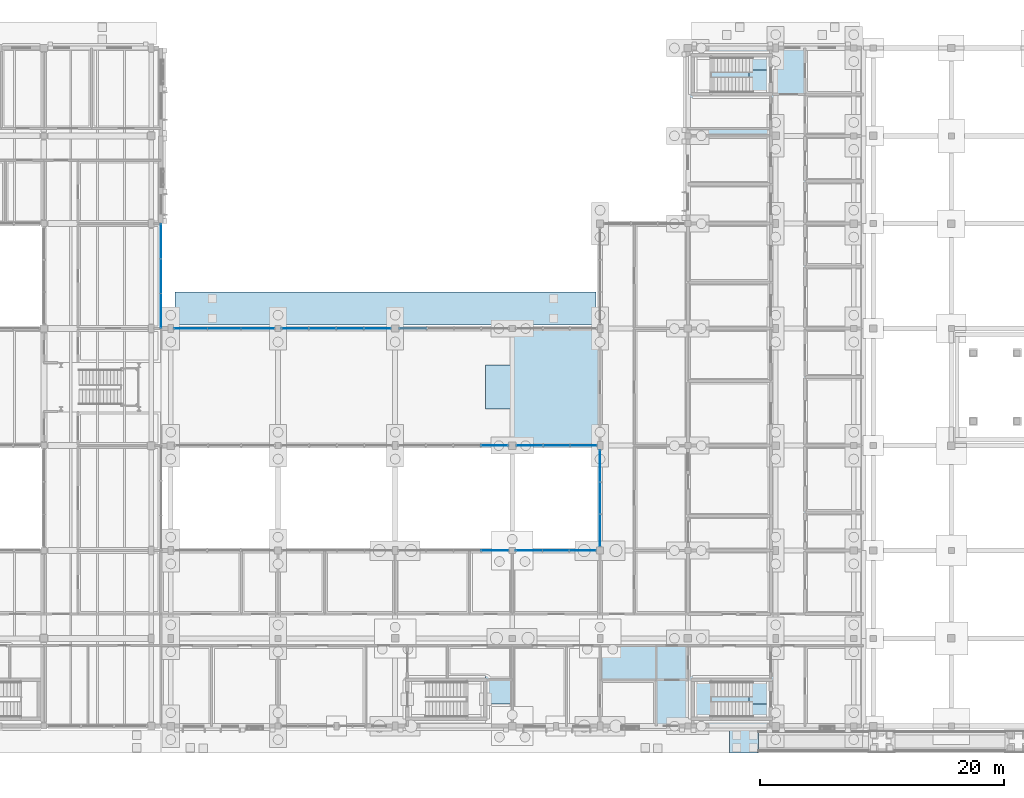
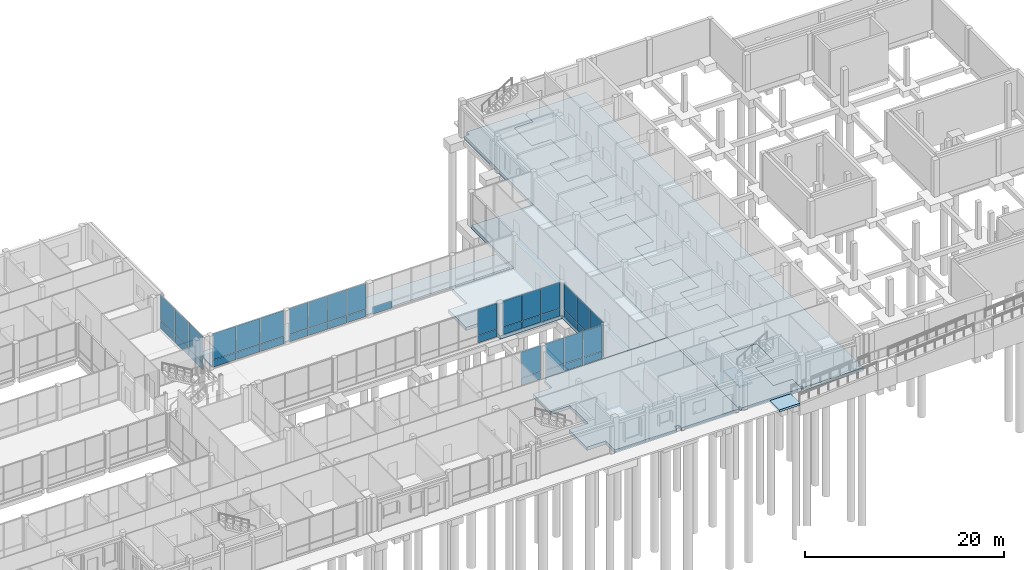
# One storey, part 67 of 104: 43 plates, 7 slabs, 10 elements without a shape of their own.
"""IFC4 building model written with IfcOpenShell, lengths in metres."""

from ifc_helpers import new_model, si_unit, direction, frame, origin, origin_2d, place, context, subcontext, project, spatial, polyline, rectangle, outline, extrude, material, layer, layer_set, type_object, element, aggregate, save


model = new_model("IFC4")

# Units and contexts
model_context = context("Model", 3, precision=1e-05, world=origin(), true_north=direction((0.0, 1.0)))
body_context = subcontext(model_context, "Body", "Model", "MODEL_VIEW")
ifc_project = project(units=[si_unit("LENGTHUNIT", "METRE"), si_unit("AREAUNIT", "SQUARE_METRE"), si_unit("VOLUMEUNIT", "CUBIC_METRE"), si_unit("PLANEANGLEUNIT", "RADIAN"), si_unit("MASSUNIT", "GRAM", prefix="KILO")], contexts=[model_context])

# Site, building, storey
site_placement = place(None, origin())
site = spatial("IfcSite", under=ifc_project, at=site_placement, CompositionType="ELEMENT")
building_placement = place(site_placement, origin())
building = spatial("IfcBuilding", under=site, at=building_placement, Name="Hawrajan Terrace Health Centre", CompositionType="ELEMENT")
storey_placement = place(building_placement, origin())
storey = spatial("IfcBuildingStorey", under=building, at=storey_placement, Name="L00", CompositionType="ELEMENT", Elevation=0.0)

# Slabs
ifc_material_1 = material(Name="Concrete C40/50", Category="concrete")
ifc_layer_1 = layer(ifc_material_1, 0.39990234375)
ifc_layer_set_1 = layer_set([ifc_layer_1], Name="Concrete C40/50")
slab_type_1 = type_object("IfcSlabType", Name="BaseSlab_RC400", PredefinedType="BASESLAB", material=ifc_layer_set_1)
slab_1_placement = place(storey_placement, frame((0.0, 0.0, -0.39990234375)))
element("IfcSlab", 1, at=slab_1_placement, inside=storey, type_object=slab_type_1, Name="Structural slab SL-L00-C-V1-Z4-1", PredefinedType="BASESLAB", context=body_context, shape_type="SweptSolid", body=[
    extrude(outline(polyline([(107.800048828125, 36.800048828125), (107.800048828125, 45.39990234375), (115.0, 45.39990234375), (115.0, 36.800048828125), (115.0, 27.199951171875), (115.0, 18.60009765625), (107.800048828125, 18.60009765625), (107.800048828125, 27.199951171875), (100.60205078125, 27.199951171875), (100.60205078125, 30.201904296875), (98.402099609375, 30.201904296875), (98.402099609375, 33.798095703125), (100.60205078125, 33.798095703125), (100.60205078125, 36.800048828125), (107.800048828125, 36.800048828125)])), origin(), (0.0, 0.0, 1.0), 0.39990234375),
])
slab_2_placement = place(storey_placement, frame((0.0, 0.0, -0.39990234375)))
element("IfcSlab", 2, at=slab_2_placement, inside=storey, type_object=slab_type_1, Name="Structural slab SL-L00-C-V3-Z4-1", PredefinedType="BASESLAB", context=body_context, shape_type="SweptSolid", body=[
    extrude(outline(polyline([(100.8798828125, 18.320068359375), (100.8798828125, 18.60009765625), (107.798095703125, 18.60009765625), (107.798095703125, 18.597900390625), (115.0, 18.597900390625), (115.0, 11.39990234375), (115.0, 4.47998046875), (115.0, 4.199951171875), (108.35009765625, 4.199951171875), (108.35009765625, 4.75), (107.800048828125, 4.75), (107.800048828125, 4.199951171875), (100.60205078125, 4.199951171875), (100.60205078125, 6.001953125), (98.402099609375, 6.001953125), (98.402099609375, 9.597900390625), (100.60205078125, 9.597900390625), (100.60205078125, 13.201904296875), (98.402099609375, 13.201904296875), (98.402099609375, 16.798095703125), (100.60205078125, 16.798095703125), (100.60205078125, 18.320068359375), (100.8798828125, 18.320068359375)])), origin(), (0.0, 0.0, 1.0), 0.39990234375),
])
slab_3_placement = place(storey_placement, frame((0.0, 0.0, -0.39990234375)))
element("IfcSlab", 3, at=slab_3_placement, inside=storey, type_object=slab_type_1, Name="Structural slab SL-L00-C-V5-Z4-1", PredefinedType="BASESLAB", context=body_context, shape_type="SweptSolid", body=[
    extrude(outline(polyline([(115.0, 52.60009765625), (115.0, 59.25), (115.550048828125, 59.25), (115.550048828125, 59.800048828125), (122.199951171875, 59.800048828125), (122.199951171875, 59.52001953125), (122.199951171875, 58.0), (120.0, 58.0), (120.0, 54.39990234375), (122.199951171875, 54.39990234375), (122.199951171875, 52.60009765625), (122.199951171875, 50.800048828125), (120.0, 50.800048828125), (120.0, 47.199951171875), (122.199951171875, 47.199951171875), (122.199951171875, 45.39990234375), (122.199951171875, 42.89990234375), (120.0, 42.89990234375), (120.0, 39.300048828125), (122.199951171875, 39.300048828125), (122.199951171875, 36.800048828125), (122.199951171875, 33.800048828125), (120.0, 33.800048828125), (120.0, 30.199951171875), (122.199951171875, 30.199951171875), (122.199951171875, 27.199951171875), (122.199951171875, 24.699951171875), (120.0, 24.699951171875), (120.0, 21.10009765625), (122.199951171875, 21.10009765625), (122.199951171875, 18.60009765625), (122.199951171875, 16.800048828125), (120.0, 16.800048828125), (120.0, 13.199951171875), (122.199951171875, 13.199951171875), (122.199951171875, 11.39990234375), (122.199951171875, 9.60009765625), (120.0, 9.60009765625), (120.0, 6.0), (122.199951171875, 6.0), (122.199951171875, 4.47998046875), (122.199951171875, 4.199951171875), (115.280029296875, 4.199951171875), (115.280029296875, 4.47998046875), (115.001953125, 4.47998046875), (115.001953125, 18.597900390625), (115.001953125, 18.60009765625), (115.001953125, 45.402099609375), (115.0, 45.402099609375), (115.0, 52.60009765625)])), origin(), (0.0, 0.0, 1.0), 0.39990234375),
])
slab_4_placement = place(storey_placement, frame((0.0, 0.0, -0.39990234375)))
element("IfcSlab", 4, at=slab_4_placement, inside=storey, type_object=slab_type_1, Name="Structural slab SL-L00-C-V5-Z5-1", PredefinedType="BASESLAB", context=body_context, shape_type="SweptSolid", body=[
    extrude(outline(polyline([(122.47998046875, 59.52001953125), (122.47998046875, 59.800048828125), (129.39501953125, 59.800048828125), (129.39501953125, 52.60009765625), (129.39501953125, 45.39990234375), (129.39501953125, 36.800048828125), (129.39501953125, 27.199951171875), (129.39501953125, 18.60009765625), (129.39501953125, 11.39990234375), (129.39501953125, 4.199951171875), (122.47998046875, 4.199951171875), (122.47998046875, 4.47998046875), (122.201904296875, 4.47998046875), (122.201904296875, 6.001953125), (120.001953125, 6.001953125), (120.001953125, 9.597900390625), (122.201904296875, 9.597900390625), (122.201904296875, 13.201904296875), (120.001953125, 13.201904296875), (120.001953125, 16.798095703125), (122.201904296875, 16.798095703125), (122.201904296875, 21.10205078125), (120.001953125, 21.10205078125), (120.001953125, 24.697998046875), (122.201904296875, 24.697998046875), (122.201904296875, 30.201904296875), (120.001953125, 30.201904296875), (120.001953125, 33.798095703125), (122.201904296875, 33.798095703125), (122.201904296875, 39.302001953125), (120.001953125, 39.302001953125), (120.001953125, 42.89794921875), (122.201904296875, 42.89794921875), (122.201904296875, 47.201904296875), (120.001953125, 47.201904296875), (120.001953125, 50.798095703125), (122.201904296875, 50.798095703125), (122.201904296875, 54.402099609375), (120.001953125, 54.402099609375), (120.001953125, 57.998046875), (122.201904296875, 57.998046875), (122.201904296875, 59.52001953125), (122.47998046875, 59.52001953125)])), origin(), (0.0, 0.0, 1.0), 0.39990234375),
])

# Curtain wall, plates
ifc_material_2 = material(Name="Anodized bronze aluminium and low-E solar glazing", Category="aluminium")
curtain_wall_type_1 = type_object("IfcCurtainWallType", Name="CW_Clerestory_SeriesG2", PredefinedType="USERDEFINED", material=ifc_material_2)
curtain_wall_1_placement = place(storey_placement, origin())
curtain_wall_1 = element("IfcCurtainWall", 5, at=curtain_wall_1_placement, inside=storey, type_object=curtain_wall_type_1, Name="Curtain wall CW-L00-041", ObjectType="UNITISED CURTAIN WALL", PredefinedType="USERDEFINED")
ifc_material_3 = material(Name="Diffused north-light insulated glazing", Category="glass")
ifc_layer_2 = layer(ifc_material_3, 0.031982421875)
ifc_layer_set_2 = layer_set([ifc_layer_2], Name="Diffused north-light insulated glazing")
plate_type_1 = type_object("IfcPlateType", Name="ClerestoryGlassPanel_32", PredefinedType="CURTAIN_PANEL", material=ifc_layer_set_2)
plate_1_placement = place(storey_placement, frame((82.809326171875, 36.800048828125, 0.981689453125), z_axis=(0.0, 0.0, 1.0), x_axis=(1.0, 0.0, 0.0)))
plate_1 = element("IfcPlate", 6, at=plate_1_placement, type_object=plate_type_1, Name="Curtain panel CW-L00-041-P1-2", PredefinedType="CURTAIN_PANEL", context=body_context, shape_type="SweptSolid", body=[
    extrude(rectangle(XDim=2.1806640625, YDim=0.031982421875, at=origin_2d()), origin(), (0.0, 0.0, 1.0), 3.1494140625),
])
plate_2_placement = place(storey_placement, frame((85.052978515625, 36.800048828125, 0.981689453125), z_axis=(0.0, 0.0, 1.0), x_axis=(1.0, 0.0, 0.0)))
plate_2 = element("IfcPlate", 7, at=plate_2_placement, type_object=plate_type_1, Name="Curtain panel CW-L00-041-P2-2", PredefinedType="CURTAIN_PANEL", context=body_context, shape_type="SweptSolid", body=[
    extrude(rectangle(XDim=2.1806640625, YDim=0.031982421875, at=origin_2d()), origin(), (0.0, 0.0, 1.0), 3.1494140625),
])
plate_3_placement = place(storey_placement, frame((87.296875, 36.800048828125, 0.981689453125), z_axis=(0.0, 0.0, 1.0), x_axis=(1.0, 0.0, 0.0)))
plate_3 = element("IfcPlate", 8, at=plate_3_placement, type_object=plate_type_1, Name="Curtain panel CW-L00-041-P3-2", PredefinedType="CURTAIN_PANEL", context=body_context, shape_type="SweptSolid", body=[
    extrude(rectangle(XDim=2.180908203125, YDim=0.031982421875, at=origin_2d()), origin(), (0.0, 0.0, 1.0), 3.1494140625),
])
plate_4_placement = place(storey_placement, frame((89.54052734375, 36.800048828125, 0.981689453125), z_axis=(0.0, 0.0, 1.0), x_axis=(1.0, 0.0, 0.0)))
plate_4 = element("IfcPlate", 9, at=plate_4_placement, type_object=plate_type_1, Name="Curtain panel CW-L00-041-P4-2", PredefinedType="CURTAIN_PANEL", context=body_context, shape_type="SweptSolid", body=[
    extrude(rectangle(XDim=2.180908203125, YDim=0.031982421875, at=origin_2d()), origin(), (0.0, 0.0, 1.0), 3.1494140625),
])

# Slabs
ifc_layer_3 = layer(ifc_material_1, 0.25)
ifc_layer_set_3 = layer_set([ifc_layer_3], Name="Concrete C40/50")
slab_type_2 = type_object("IfcSlabType", Name="RampLanding_RC250", PredefinedType="LANDING", material=ifc_layer_set_3)
slab_5_placement = place(storey_placement, frame((0.0, 0.0, -0.25)))
element("IfcSlab", 10, at=slab_5_placement, inside=storey, type_object=slab_type_2, Name="Accessible ramp base landing AR-00", PredefinedType="LANDING", context=body_context, shape_type="SweptSolid", body=[
    extrude(outline(polyline([(118.39990234375, 2.0), (120.800048828125, 2.0), (120.800048828125, 3.889892578125), (118.39990234375, 3.889892578125), (118.39990234375, 2.0)])), origin(), (0.0, 0.0, 1.0), 0.25),
])
ifc_layer_4 = layer(ifc_material_1, 0.199951171875)
ifc_layer_set_4 = layer_set([ifc_layer_4], Name="Concrete C40/50")
slab_type_3 = type_object("IfcSlabType", Name="SiteApronPaving_RC200", PredefinedType="BASESLAB", material=ifc_layer_set_4)
slab_6_placement = place(storey_placement, frame((0.0, 0.0, -0.199951171875)))
element("IfcSlab", 11, at=slab_6_placement, inside=storey, type_object=slab_type_3, Name="North courtyard garden apron APRON-L00-NCOURT", PredefinedType="BASESLAB", context=body_context, shape_type="SweptSolid", body=[
    extrude(outline(polyline([(72.949951171875, 37.110107421875), (107.449951171875, 37.110107421875), (107.449951171875, 39.800048828125), (72.949951171875, 39.800048828125), (72.949951171875, 37.110107421875)])), origin(), (0.0, 0.0, 1.0), 0.199951171875),
])

# Curtain wall, plates
curtain_wall_type_2 = type_object("IfcCurtainWallType", Name="CW_Pavilion_SeriesE1", PredefinedType="USERDEFINED", material=ifc_material_2)
curtain_wall_2_placement = place(storey_placement, origin())
curtain_wall_2 = element("IfcCurtainWall", 12, at=curtain_wall_2_placement, inside=storey, type_object=curtain_wall_type_2, Name="Curtain wall CW-L00-036", ObjectType="UNITISED CURTAIN WALL", PredefinedType="USERDEFINED")
ifc_material_4 = material(Name="Insulated anodized bronze spandrel panel")
ifc_layer_5 = layer(ifc_material_4, 0.048095703125)
ifc_layer_set_5 = layer_set([ifc_layer_5], Name="Insulated anodized bronze spandrel panel")
plate_type_2 = type_object("IfcPlateType", Name="SpandrelPanel_Bronze48", PredefinedType="CURTAIN_PANEL", material=ifc_layer_set_5)
plate_5_placement = place(storey_placement, frame((74.234130859375, 36.800048828125, 0.05908203125), z_axis=(0.0, 0.0, 1.0), x_axis=(1.0, 0.0, 0.0)))
plate_5 = element("IfcPlate", 13, at=plate_5_placement, type_object=plate_type_2, Name="Curtain panel CW-L00-036-P1-1", PredefinedType="CURTAIN_PANEL", context=body_context, shape_type="SweptSolid", body=[
    extrude(rectangle(XDim=2.7001953125, YDim=0.048095703125, at=origin_2d()), origin(), (0.0, 0.0, 1.0), 0.864501953125),
])
plate_6_placement = place(storey_placement, frame((76.987548828125, 36.800048828125, 0.05908203125), z_axis=(0.0, 0.0, 1.0), x_axis=(1.0, 0.0, 0.0)))
plate_6 = element("IfcPlate", 14, at=plate_6_placement, type_object=plate_type_2, Name="Curtain panel CW-L00-036-P2-1", PredefinedType="CURTAIN_PANEL", context=body_context, shape_type="SweptSolid", body=[
    extrude(rectangle(XDim=2.7001953125, YDim=0.048095703125, at=origin_2d()), origin(), (0.0, 0.0, 1.0), 0.864501953125),
])
plate_7_placement = place(storey_placement, frame((79.74072265625, 36.800048828125, 0.05908203125), z_axis=(0.0, 0.0, 1.0), x_axis=(1.0, 0.0, 0.0)))
plate_7 = element("IfcPlate", 15, at=plate_7_placement, type_object=plate_type_2, Name="Curtain panel CW-L00-036-P3-1", PredefinedType="CURTAIN_PANEL", context=body_context, shape_type="SweptSolid", body=[
    extrude(rectangle(XDim=2.7001953125, YDim=0.048095703125, at=origin_2d()), origin(), (0.0, 0.0, 1.0), 0.864501953125),
])

# Curtain wall, plate
curtain_wall_type_3 = type_object("IfcCurtainWallType", Name="CW_Clerestory_SeriesG3", PredefinedType="USERDEFINED", material=ifc_material_2)
curtain_wall_3_placement = place(storey_placement, origin())
curtain_wall_3 = element("IfcCurtainWall", 16, at=curtain_wall_3_placement, inside=storey, type_object=curtain_wall_type_3, Name="Curtain wall CW-L00-042", ObjectType="UNITISED CURTAIN WALL", PredefinedType="USERDEFINED")
plate_8_placement = place(storey_placement, frame((99.18505859375, 18.60009765625, 0.05908203125), z_axis=(0.0, 0.0, 1.0), x_axis=(1.0, 0.0, 0.0)))
plate_8 = element("IfcPlate", 17, at=plate_8_placement, type_object=plate_type_2, Name="Curtain panel CW-L00-042-P4-1", PredefinedType="CURTAIN_PANEL", context=body_context, shape_type="SweptSolid", body=[
    extrude(rectangle(XDim=2.2119140625, YDim=0.048095703125, at=origin_2d()), origin(), (0.0, 0.0, 1.0), 0.864501953125),
])

curtain_wall_type_4 = type_object("IfcCurtainWallType", Name="CW_Bridge_SeriesJ1", PredefinedType="USERDEFINED", material=ifc_material_2)
curtain_wall_4_placement = place(storey_placement, origin())
curtain_wall_4 = element("IfcCurtainWall", 18, at=curtain_wall_4_placement, inside=storey, type_object=curtain_wall_type_4, Name="Curtain wall CW-L00-044", ObjectType="UNITISED CURTAIN WALL", PredefinedType="USERDEFINED")
plate_9_placement = place(storey_placement, frame((92.45947265625, 36.800048828125, 0.06884765625), z_axis=(0.0, 0.0, 1.0), x_axis=(1.0, 0.0, 0.0)))
plate_9 = element("IfcPlate", 19, at=plate_9_placement, type_object=plate_type_2, Name="Curtain panel CW-L00-044-P1-1", PredefinedType="CURTAIN_PANEL", context=body_context, shape_type="SweptSolid", body=[
    extrude(rectangle(XDim=2.1806640625, YDim=0.048095703125, at=origin_2d()), origin(), (0.0, 0.0, 1.0), 0.849609375),
])
aggregate(curtain_wall_4, [plate_9])

# Curtain wall, plates
curtain_wall_type_5 = type_object("IfcCurtainWallType", Name="CW_Setback_SeriesL1", PredefinedType="USERDEFINED", material=ifc_material_2)
curtain_wall_5_placement = place(storey_placement, origin())
curtain_wall_5 = element("IfcCurtainWall", 20, at=curtain_wall_5_placement, inside=storey, type_object=curtain_wall_type_5, Name="Curtain wall CW-L00-046", ObjectType="UNITISED CURTAIN WALL", PredefinedType="USERDEFINED")
plate_10_placement = place(storey_placement, frame((102.0341796875, 27.199951171875, 0.05908203125), z_axis=(0.0, 0.0, 1.0), x_axis=(1.0, 0.0, 0.0)))
plate_10 = element("IfcPlate", 21, at=plate_10_placement, type_object=plate_type_2, Name="Curtain panel CW-L00-046-P1-1", PredefinedType="CURTAIN_PANEL", context=body_context, shape_type="SweptSolid", body=[
    extrude(rectangle(XDim=2.150390625, YDim=0.048095703125, at=origin_2d()), origin(), (0.0, 0.0, 1.0), 0.864501953125),
])
plate_11_placement = place(storey_placement, frame((104.237548828125, 27.199951171875, 0.05908203125), z_axis=(0.0, 0.0, 1.0), x_axis=(1.0, 0.0, 0.0)))
plate_11 = element("IfcPlate", 22, at=plate_11_placement, type_object=plate_type_2, Name="Curtain panel CW-L00-046-P2-1", PredefinedType="CURTAIN_PANEL", context=body_context, shape_type="SweptSolid", body=[
    extrude(rectangle(XDim=2.150390625, YDim=0.048095703125, at=origin_2d()), origin(), (0.0, 0.0, 1.0), 0.864501953125),
])
plate_12_placement = place(storey_placement, frame((106.44091796875, 27.199951171875, 0.05908203125), z_axis=(0.0, 0.0, 1.0), x_axis=(1.0, 0.0, 0.0)))
plate_12 = element("IfcPlate", 23, at=plate_12_placement, type_object=plate_type_2, Name="Curtain panel CW-L00-046-P3-1", PredefinedType="CURTAIN_PANEL", context=body_context, shape_type="SweptSolid", body=[
    extrude(rectangle(XDim=2.150390625, YDim=0.048095703125, at=origin_2d()), origin(), (0.0, 0.0, 1.0), 0.864501953125),
])

curtain_wall_type_6 = type_object("IfcCurtainWallType", Name="CW_Diagnostic_SeriesM2", PredefinedType="USERDEFINED", material=ifc_material_2)
curtain_wall_6_placement = place(storey_placement, origin())
curtain_wall_6 = element("IfcCurtainWall", 24, at=curtain_wall_6_placement, inside=storey, type_object=curtain_wall_type_6, Name="Curtain wall CW-L00-048", ObjectType="UNITISED CURTAIN WALL", PredefinedType="USERDEFINED")
plate_13_placement = place(storey_placement, frame((107.800048828125, 20.250732421875, 0.05908203125), z_axis=(0.0, 0.0, 1.0), x_axis=(0.0, 1.0, 0.0)))
plate_13 = element("IfcPlate", 25, at=plate_13_placement, type_object=plate_type_2, Name="Curtain panel CW-L00-048-P1-1", PredefinedType="CURTAIN_PANEL", context=body_context, shape_type="SweptSolid", body=[
    extrude(rectangle(XDim=2.583740234375, YDim=0.048095703125, at=origin_2d()), origin(), (0.0, 0.0, 1.0), 0.864501953125),
])
plate_14_placement = place(storey_placement, frame((107.800048828125, 22.887451171875, 0.05908203125), z_axis=(0.0, 0.0, 1.0), x_axis=(0.0, 1.0, 0.0)))
plate_14 = element("IfcPlate", 26, at=plate_14_placement, type_object=plate_type_2, Name="Curtain panel CW-L00-048-P2-1", PredefinedType="CURTAIN_PANEL", context=body_context, shape_type="SweptSolid", body=[
    extrude(rectangle(XDim=2.583740234375, YDim=0.048095703125, at=origin_2d()), origin(), (0.0, 0.0, 1.0), 0.864501953125),
])
plate_15_placement = place(storey_placement, frame((107.800048828125, 25.524169921875, 0.05908203125), z_axis=(0.0, 0.0, 1.0), x_axis=(0.0, 1.0, 0.0)))
plate_15 = element("IfcPlate", 27, at=plate_15_placement, type_object=plate_type_2, Name="Curtain panel CW-L00-048-P3-1", PredefinedType="CURTAIN_PANEL", context=body_context, shape_type="SweptSolid", body=[
    extrude(rectangle(XDim=2.583740234375, YDim=0.048095703125, at=origin_2d()), origin(), (0.0, 0.0, 1.0), 0.864501953125),
])

curtain_wall_type_7 = type_object("IfcCurtainWallType", Name="CW_CourtNS_SeriesC3", PredefinedType="USERDEFINED", material=ifc_material_2)
curtain_wall_7_placement = place(storey_placement, origin())
curtain_wall_7 = element("IfcCurtainWall", 28, at=curtain_wall_7_placement, inside=storey, type_object=curtain_wall_type_7, Name="Curtain wall CW-L00-033", ObjectType="UNITISED CURTAIN WALL", PredefinedType="USERDEFINED")
ifc_material_5 = material(Name="Insulated reconstituted coral-stone spandrel", Category="masonry")
ifc_layer_6 = layer(ifc_material_5, 0.055908203125)
ifc_layer_set_6 = layer_set([ifc_layer_6], Name="Insulated reconstituted coral-stone spandrel")
plate_type_3 = type_object("IfcPlateType", Name="SpandrelPanel_Coral56", PredefinedType="CURTAIN_PANEL", material=ifc_layer_set_6)
plate_16_placement = place(storey_placement, frame((71.794921875, 38.2548828125, 0.05908203125), z_axis=(0.0, 0.0, 1.0), x_axis=(0.0, 1.0, 0.0)))
plate_16 = element("IfcPlate", 29, at=plate_16_placement, type_object=plate_type_3, Name="Curtain panel CW-L00-033-P1-1", PredefinedType="CURTAIN_PANEL", context=body_context, shape_type="SweptSolid", body=[
    extrude(rectangle(XDim=2.7919921875, YDim=0.055908203125, at=origin_2d()), origin(), (0.0, 0.0, 1.0), 0.864501953125),
])
plate_17_placement = place(storey_placement, frame((71.794921875, 41.10009765625, 0.05908203125), z_axis=(0.0, 0.0, 1.0), x_axis=(0.0, 1.0, 0.0)))
plate_17 = element("IfcPlate", 30, at=plate_17_placement, type_object=plate_type_3, Name="Curtain panel CW-L00-033-P2-1", PredefinedType="CURTAIN_PANEL", context=body_context, shape_type="SweptSolid", body=[
    extrude(rectangle(XDim=2.7919921875, YDim=0.055908203125, at=origin_2d()), origin(), (0.0, 0.0, 1.0), 0.864501953125),
])
plate_18_placement = place(storey_placement, frame((71.794921875, 43.945068359375, 0.05908203125), z_axis=(0.0, 0.0, 1.0), x_axis=(0.0, 1.0, 0.0)))
plate_18 = element("IfcPlate", 31, at=plate_18_placement, type_object=plate_type_3, Name="Curtain panel CW-L00-033-P3-1", PredefinedType="CURTAIN_PANEL", context=body_context, shape_type="SweptSolid", body=[
    extrude(rectangle(XDim=2.7919921875, YDim=0.055908203125, at=origin_2d()), origin(), (0.0, 0.0, 1.0), 0.864501953125),
])

# Plate
plate_19_placement = place(storey_placement, frame((82.809326171875, 36.800048828125, 0.06884765625), z_axis=(0.0, 0.0, 1.0), x_axis=(1.0, 0.0, 0.0)))
plate_19 = element("IfcPlate", 32, at=plate_19_placement, type_object=plate_type_3, Name="Curtain panel CW-L00-041-P1-1", PredefinedType="CURTAIN_PANEL", context=body_context, shape_type="SweptSolid", body=[
    extrude(rectangle(XDim=2.1806640625, YDim=0.055908203125, at=origin_2d()), origin(), (0.0, 0.0, 1.0), 0.849609375),
])

plate_20_placement = place(storey_placement, frame((85.052978515625, 36.800048828125, 0.06884765625), z_axis=(0.0, 0.0, 1.0), x_axis=(1.0, 0.0, 0.0)))
plate_20 = element("IfcPlate", 33, at=plate_20_placement, type_object=plate_type_3, Name="Curtain panel CW-L00-041-P2-1", PredefinedType="CURTAIN_PANEL", context=body_context, shape_type="SweptSolid", body=[
    extrude(rectangle(XDim=2.1806640625, YDim=0.055908203125, at=origin_2d()), origin(), (0.0, 0.0, 1.0), 0.849609375),
])

plate_21_placement = place(storey_placement, frame((87.296875, 36.800048828125, 0.06884765625), z_axis=(0.0, 0.0, 1.0), x_axis=(1.0, 0.0, 0.0)))
plate_21 = element("IfcPlate", 34, at=plate_21_placement, type_object=plate_type_3, Name="Curtain panel CW-L00-041-P3-1", PredefinedType="CURTAIN_PANEL", context=body_context, shape_type="SweptSolid", body=[
    extrude(rectangle(XDim=2.180908203125, YDim=0.055908203125, at=origin_2d()), origin(), (0.0, 0.0, 1.0), 0.849609375),
])

plate_22_placement = place(storey_placement, frame((89.54052734375, 36.800048828125, 0.06884765625), z_axis=(0.0, 0.0, 1.0), x_axis=(1.0, 0.0, 0.0)))
plate_22 = element("IfcPlate", 35, at=plate_22_placement, type_object=plate_type_3, Name="Curtain panel CW-L00-041-P4-1", PredefinedType="CURTAIN_PANEL", context=body_context, shape_type="SweptSolid", body=[
    extrude(rectangle(XDim=2.180908203125, YDim=0.055908203125, at=origin_2d()), origin(), (0.0, 0.0, 1.0), 0.849609375),
])

aggregate(curtain_wall_1, [plate_19, plate_1, plate_20, plate_2, plate_21, plate_3, plate_22, plate_4])

# Curtain wall, plate
curtain_wall_type_8 = type_object("IfcCurtainWallType", Name="CW_Vestibule_SeriesH1", PredefinedType="USERDEFINED", material=ifc_material_2)
curtain_wall_8_placement = place(storey_placement, origin())
curtain_wall_8 = element("IfcCurtainWall", 36, at=curtain_wall_8_placement, inside=storey, type_object=curtain_wall_type_8, Name="Curtain wall CW-L00-043", ObjectType="UNITISED CURTAIN WALL", PredefinedType="USERDEFINED")
plate_23_placement = place(storey_placement, frame((99.14111328125, 27.199951171875, 0.05908203125), z_axis=(0.0, 0.0, 1.0), x_axis=(1.0, 0.0, 0.0)))
plate_23 = element("IfcPlate", 37, at=plate_23_placement, type_object=plate_type_3, Name="Curtain panel CW-L00-043-P4-1", PredefinedType="CURTAIN_PANEL", context=body_context, shape_type="SweptSolid", body=[
    extrude(rectangle(XDim=2.199462890625, YDim=0.055908203125, at=origin_2d()), origin(), (0.0, 0.0, 1.0), 0.864501953125),
])

# Curtain wall, plates
curtain_wall_type_9 = type_object("IfcCurtainWallType", Name="CW_Terrace_SeriesK1", PredefinedType="USERDEFINED", material=ifc_material_2)
curtain_wall_9_placement = place(storey_placement, origin())
curtain_wall_9 = element("IfcCurtainWall", 38, at=curtain_wall_9_placement, inside=storey, type_object=curtain_wall_type_9, Name="Curtain wall CW-L00-045", ObjectType="UNITISED CURTAIN WALL", PredefinedType="USERDEFINED")
plate_24_placement = place(storey_placement, frame((101.97998046875, 18.60009765625, 0.05908203125), z_axis=(0.0, 0.0, 1.0), x_axis=(1.0, 0.0, 0.0)))
plate_24 = element("IfcPlate", 39, at=plate_24_placement, type_object=plate_type_3, Name="Curtain panel CW-L00-045-P1-1", PredefinedType="CURTAIN_PANEL", context=body_context, shape_type="SweptSolid", body=[
    extrude(rectangle(XDim=2.14208984375, YDim=0.055908203125, at=origin_2d()), origin(), (0.0, 0.0, 1.0), 0.864501953125),
])
plate_25_placement = place(storey_placement, frame((104.175048828125, 18.60009765625, 0.05908203125), z_axis=(0.0, 0.0, 1.0), x_axis=(1.0, 0.0, 0.0)))
plate_25 = element("IfcPlate", 40, at=plate_25_placement, type_object=plate_type_3, Name="Curtain panel CW-L00-045-P2-1", PredefinedType="CURTAIN_PANEL", context=body_context, shape_type="SweptSolid", body=[
    extrude(rectangle(XDim=2.14208984375, YDim=0.055908203125, at=origin_2d()), origin(), (0.0, 0.0, 1.0), 0.864501953125),
])
plate_26_placement = place(storey_placement, frame((106.3701171875, 18.60009765625, 0.05908203125), z_axis=(0.0, 0.0, 1.0), x_axis=(1.0, 0.0, 0.0)))
plate_26 = element("IfcPlate", 41, at=plate_26_placement, type_object=plate_type_3, Name="Curtain panel CW-L00-045-P3-1", PredefinedType="CURTAIN_PANEL", context=body_context, shape_type="SweptSolid", body=[
    extrude(rectangle(XDim=2.14208984375, YDim=0.055908203125, at=origin_2d()), origin(), (0.0, 0.0, 1.0), 0.864501953125),
])

# Stair, slab
stair_type = type_object("IfcStairType", Name="Stair_4500_W1300", PredefinedType="HALF_TURN_STAIR", material=ifc_material_1)
stair_placement = place(storey_placement, origin())
stair = element("IfcStair", 42, at=stair_placement, inside=storey, type_object=stair_type, Name="Stair ST-6-L00", PredefinedType="HALF_TURN_STAIR")
ifc_layer_7 = layer(ifc_material_1, 0.219970703125)
ifc_layer_set_7 = layer_set([ifc_layer_7], Name="Concrete C40/50")
slab_type_4 = type_object("IfcSlabType", Name="StairLanding_RC220", PredefinedType="LANDING", material=ifc_layer_set_7)
slab_7_placement = place(storey_placement, frame((0.0, 0.0, 2.030029296875)))
slab_7 = element("IfcSlab", 43, at=slab_7_placement, type_object=slab_type_4, Name="Stair half landing ST-6-L00-L1", PredefinedType="LANDING", context=body_context, shape_type="SweptSolid", body=[
    extrude(outline(polyline([(115.39990234375, 4.800048828125), (116.89990234375, 4.800048828125), (116.89990234375, 8.0), (115.39990234375, 8.0), (115.39990234375, 4.800048828125)])), origin(), (0.0, 0.0, 1.0), 0.219970703125),
])
aggregate(stair, [slab_7])

# Plate
ifc_material_6 = material(Name="Double-glazed solar control low-E glass", Category="glass")
ifc_layer_8 = layer(ifc_material_6, 0.028076171875)
ifc_layer_set_8 = layer_set([ifc_layer_8], Name="Double-glazed solar control low-E glass")
plate_type_4 = type_object("IfcPlateType", Name="VisionGlassPanel_28", PredefinedType="CURTAIN_PANEL", material=ifc_layer_set_8)
plate_27_placement = place(storey_placement, frame((71.794921875, 38.2548828125, 0.9765625), z_axis=(0.0, 0.0, 1.0), x_axis=(0.0, 1.0, 0.0)))
plate_27 = element("IfcPlate", 44, at=plate_27_placement, type_object=plate_type_4, Name="Curtain panel CW-L00-033-P1-2", PredefinedType="CURTAIN_PANEL", context=body_context, shape_type="SweptSolid", body=[
    extrude(rectangle(XDim=2.7919921875, YDim=0.028076171875, at=origin_2d()), origin(), (0.0, 0.0, 1.0), 3.16455078125),
])

plate_28_placement = place(storey_placement, frame((71.794921875, 41.10009765625, 0.9765625), z_axis=(0.0, 0.0, 1.0), x_axis=(0.0, 1.0, 0.0)))
plate_28 = element("IfcPlate", 45, at=plate_28_placement, type_object=plate_type_4, Name="Curtain panel CW-L00-033-P2-2", PredefinedType="CURTAIN_PANEL", context=body_context, shape_type="SweptSolid", body=[
    extrude(rectangle(XDim=2.7919921875, YDim=0.028076171875, at=origin_2d()), origin(), (0.0, 0.0, 1.0), 3.16455078125),
])

plate_29_placement = place(storey_placement, frame((71.794921875, 43.945068359375, 0.9765625), z_axis=(0.0, 0.0, 1.0), x_axis=(0.0, 1.0, 0.0)))
plate_29 = element("IfcPlate", 46, at=plate_29_placement, type_object=plate_type_4, Name="Curtain panel CW-L00-033-P3-2", PredefinedType="CURTAIN_PANEL", context=body_context, shape_type="SweptSolid", body=[
    extrude(rectangle(XDim=2.7919921875, YDim=0.028076171875, at=origin_2d()), origin(), (0.0, 0.0, 1.0), 3.16455078125),
])

aggregate(curtain_wall_7, [plate_16, plate_27, plate_17, plate_28, plate_18, plate_29])

plate_30_placement = place(storey_placement, frame((74.234130859375, 36.800048828125, 0.9765625), z_axis=(0.0, 0.0, 1.0), x_axis=(1.0, 0.0, 0.0)))
plate_30 = element("IfcPlate", 47, at=plate_30_placement, type_object=plate_type_4, Name="Curtain panel CW-L00-036-P1-2", PredefinedType="CURTAIN_PANEL", context=body_context, shape_type="SweptSolid", body=[
    extrude(rectangle(XDim=2.7001953125, YDim=0.028076171875, at=origin_2d()), origin(), (0.0, 0.0, 1.0), 3.16455078125),
])

plate_31_placement = place(storey_placement, frame((76.987548828125, 36.800048828125, 0.9765625), z_axis=(0.0, 0.0, 1.0), x_axis=(1.0, 0.0, 0.0)))
plate_31 = element("IfcPlate", 48, at=plate_31_placement, type_object=plate_type_4, Name="Curtain panel CW-L00-036-P2-2", PredefinedType="CURTAIN_PANEL", context=body_context, shape_type="SweptSolid", body=[
    extrude(rectangle(XDim=2.7001953125, YDim=0.028076171875, at=origin_2d()), origin(), (0.0, 0.0, 1.0), 3.16455078125),
])

plate_32_placement = place(storey_placement, frame((79.74072265625, 36.800048828125, 0.9765625), z_axis=(0.0, 0.0, 1.0), x_axis=(1.0, 0.0, 0.0)))
plate_32 = element("IfcPlate", 49, at=plate_32_placement, type_object=plate_type_4, Name="Curtain panel CW-L00-036-P3-2", PredefinedType="CURTAIN_PANEL", context=body_context, shape_type="SweptSolid", body=[
    extrude(rectangle(XDim=2.7001953125, YDim=0.028076171875, at=origin_2d()), origin(), (0.0, 0.0, 1.0), 3.16455078125),
])

aggregate(curtain_wall_2, [plate_5, plate_30, plate_6, plate_31, plate_7, plate_32])

plate_33_placement = place(storey_placement, frame((99.18505859375, 18.60009765625, 0.9765625), z_axis=(0.0, 0.0, 1.0), x_axis=(1.0, 0.0, 0.0)))
plate_33 = element("IfcPlate", 50, at=plate_33_placement, type_object=plate_type_4, Name="Curtain panel CW-L00-042-P4-2", PredefinedType="CURTAIN_PANEL", context=body_context, shape_type="SweptSolid", body=[
    extrude(rectangle(XDim=2.2119140625, YDim=0.028076171875, at=origin_2d()), origin(), (0.0, 0.0, 1.0), 3.16455078125),
])

aggregate(curtain_wall_3, [plate_8, plate_33])

plate_34_placement = place(storey_placement, frame((101.97998046875, 18.60009765625, 0.9765625), z_axis=(0.0, 0.0, 1.0), x_axis=(1.0, 0.0, 0.0)))
plate_34 = element("IfcPlate", 51, at=plate_34_placement, type_object=plate_type_4, Name="Curtain panel CW-L00-045-P1-2", PredefinedType="CURTAIN_PANEL", context=body_context, shape_type="SweptSolid", body=[
    extrude(rectangle(XDim=2.14208984375, YDim=0.028076171875, at=origin_2d()), origin(), (0.0, 0.0, 1.0), 3.16455078125),
])

plate_35_placement = place(storey_placement, frame((104.175048828125, 18.60009765625, 0.9765625), z_axis=(0.0, 0.0, 1.0), x_axis=(1.0, 0.0, 0.0)))
plate_35 = element("IfcPlate", 52, at=plate_35_placement, type_object=plate_type_4, Name="Curtain panel CW-L00-045-P2-2", PredefinedType="CURTAIN_PANEL", context=body_context, shape_type="SweptSolid", body=[
    extrude(rectangle(XDim=2.14208984375, YDim=0.028076171875, at=origin_2d()), origin(), (0.0, 0.0, 1.0), 3.16455078125),
])

plate_36_placement = place(storey_placement, frame((106.3701171875, 18.60009765625, 0.9765625), z_axis=(0.0, 0.0, 1.0), x_axis=(1.0, 0.0, 0.0)))
plate_36 = element("IfcPlate", 53, at=plate_36_placement, type_object=plate_type_4, Name="Curtain panel CW-L00-045-P3-2", PredefinedType="CURTAIN_PANEL", context=body_context, shape_type="SweptSolid", body=[
    extrude(rectangle(XDim=2.14208984375, YDim=0.028076171875, at=origin_2d()), origin(), (0.0, 0.0, 1.0), 3.16455078125),
])

aggregate(curtain_wall_9, [plate_24, plate_34, plate_25, plate_35, plate_26, plate_36])

plate_37_placement = place(storey_placement, frame((107.800048828125, 20.250732421875, 0.9765625), z_axis=(0.0, 0.0, 1.0), x_axis=(0.0, 1.0, 0.0)))
plate_37 = element("IfcPlate", 54, at=plate_37_placement, type_object=plate_type_4, Name="Curtain panel CW-L00-048-P1-2", PredefinedType="CURTAIN_PANEL", context=body_context, shape_type="SweptSolid", body=[
    extrude(rectangle(XDim=2.583740234375, YDim=0.028076171875, at=origin_2d()), origin(), (0.0, 0.0, 1.0), 3.16455078125),
])

plate_38_placement = place(storey_placement, frame((107.800048828125, 22.887451171875, 0.9765625), z_axis=(0.0, 0.0, 1.0), x_axis=(0.0, 1.0, 0.0)))
plate_38 = element("IfcPlate", 55, at=plate_38_placement, type_object=plate_type_4, Name="Curtain panel CW-L00-048-P2-2", PredefinedType="CURTAIN_PANEL", context=body_context, shape_type="SweptSolid", body=[
    extrude(rectangle(XDim=2.583740234375, YDim=0.028076171875, at=origin_2d()), origin(), (0.0, 0.0, 1.0), 3.16455078125),
])

plate_39_placement = place(storey_placement, frame((107.800048828125, 25.524169921875, 0.9765625), z_axis=(0.0, 0.0, 1.0), x_axis=(0.0, 1.0, 0.0)))
plate_39 = element("IfcPlate", 56, at=plate_39_placement, type_object=plate_type_4, Name="Curtain panel CW-L00-048-P3-2", PredefinedType="CURTAIN_PANEL", context=body_context, shape_type="SweptSolid", body=[
    extrude(rectangle(XDim=2.583740234375, YDim=0.028076171875, at=origin_2d()), origin(), (0.0, 0.0, 1.0), 3.16455078125),
])

aggregate(curtain_wall_6, [plate_13, plate_37, plate_14, plate_38, plate_15, plate_39])

ifc_material_7 = material(Name="Triple-glazed solar acoustic low-E glass", Category="glass")
ifc_layer_9 = layer(ifc_material_7, 0.035888671875)
ifc_layer_set_9 = layer_set([ifc_layer_9], Name="Triple-glazed solar acoustic low-E glass")
plate_type_5 = type_object("IfcPlateType", Name="VisionGlassPanel_36", PredefinedType="CURTAIN_PANEL", material=ifc_layer_set_9)
plate_40_placement = place(storey_placement, frame((99.14111328125, 27.199951171875, 0.9765625), z_axis=(0.0, 0.0, 1.0), x_axis=(1.0, 0.0, 0.0)))
plate_40 = element("IfcPlate", 57, at=plate_40_placement, type_object=plate_type_5, Name="Curtain panel CW-L00-043-P4-2", PredefinedType="CURTAIN_PANEL", context=body_context, shape_type="SweptSolid", body=[
    extrude(rectangle(XDim=2.199462890625, YDim=0.035888671875, at=origin_2d()), origin(), (0.0, 0.0, 1.0), 3.16455078125),
])

aggregate(curtain_wall_8, [plate_23, plate_40])

plate_41_placement = place(storey_placement, frame((102.0341796875, 27.199951171875, 0.9765625), z_axis=(0.0, 0.0, 1.0), x_axis=(1.0, 0.0, 0.0)))
plate_41 = element("IfcPlate", 58, at=plate_41_placement, type_object=plate_type_5, Name="Curtain panel CW-L00-046-P1-2", PredefinedType="CURTAIN_PANEL", context=body_context, shape_type="SweptSolid", body=[
    extrude(rectangle(XDim=2.150390625, YDim=0.035888671875, at=origin_2d()), origin(), (0.0, 0.0, 1.0), 3.16455078125),
])

plate_42_placement = place(storey_placement, frame((104.237548828125, 27.199951171875, 0.9765625), z_axis=(0.0, 0.0, 1.0), x_axis=(1.0, 0.0, 0.0)))
plate_42 = element("IfcPlate", 59, at=plate_42_placement, type_object=plate_type_5, Name="Curtain panel CW-L00-046-P2-2", PredefinedType="CURTAIN_PANEL", context=body_context, shape_type="SweptSolid", body=[
    extrude(rectangle(XDim=2.150390625, YDim=0.035888671875, at=origin_2d()), origin(), (0.0, 0.0, 1.0), 3.16455078125),
])

plate_43_placement = place(storey_placement, frame((106.44091796875, 27.199951171875, 0.9765625), z_axis=(0.0, 0.0, 1.0), x_axis=(1.0, 0.0, 0.0)))
plate_43 = element("IfcPlate", 60, at=plate_43_placement, type_object=plate_type_5, Name="Curtain panel CW-L00-046-P3-2", PredefinedType="CURTAIN_PANEL", context=body_context, shape_type="SweptSolid", body=[
    extrude(rectangle(XDim=2.150390625, YDim=0.035888671875, at=origin_2d()), origin(), (0.0, 0.0, 1.0), 3.16455078125),
])

aggregate(curtain_wall_5, [plate_10, plate_41, plate_11, plate_42, plate_12, plate_43])

save(model, "model.ifc")
